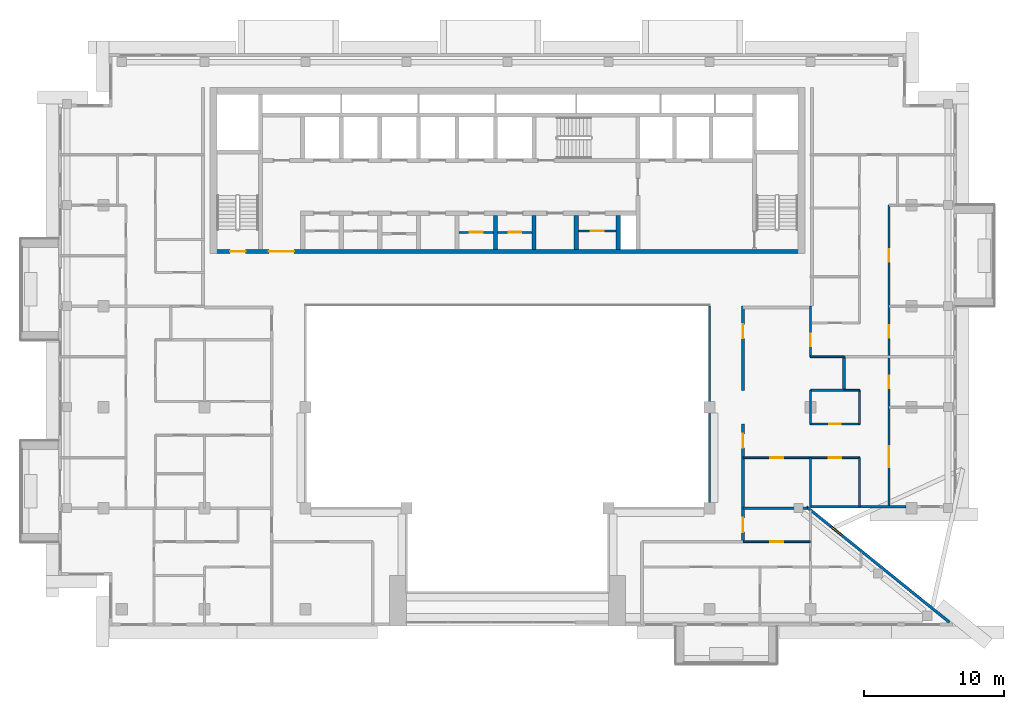
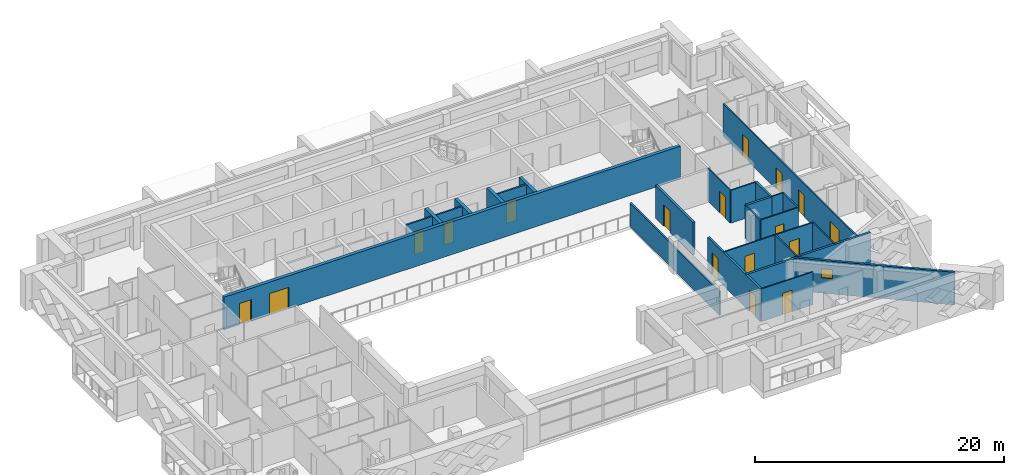
# One storey, part 9 of 19: 27 walls, 17 doors, 1 window, 18 openings.
"""IFC4 building model written with IfcOpenShell, lengths in metres."""

from ifc_helpers import new_model, si_unit, direction, frame, frame_2d, origin, place, context, subcontext, project, spatial, rectangle, extrude, material, layer, layer_set, type_object, element, fill, save


model = new_model("IFC4")

# Units and contexts
model_context = context("Model", 3, precision=1e-05, world=origin(), true_north=direction((0.0, 1.0)))
body_context = subcontext(model_context, "Body", "Model", "MODEL_VIEW")
ifc_project = project(units=[si_unit("LENGTHUNIT", "METRE"), si_unit("AREAUNIT", "SQUARE_METRE"), si_unit("VOLUMEUNIT", "CUBIC_METRE"), si_unit("PLANEANGLEUNIT", "RADIAN"), si_unit("MASSUNIT", "GRAM", prefix="KILO")], contexts=[model_context])

# Site, building, storey
site_placement = place(None, origin())
site = spatial("IfcSite", under=ifc_project, at=site_placement, CompositionType="ELEMENT")
building_placement = place(site_placement, origin())
building = spatial("IfcBuilding", under=site, at=building_placement, Name="Saffron Iwan Residences", CompositionType="ELEMENT")
storey_placement = place(building_placement, frame((0.0, 0.0, 250.0)))
storey = spatial("IfcBuildingStorey", under=building, at=storey_placement, Name="L67", CompositionType="ELEMENT", Elevation=250.0)

# Wall
ifc_material_1 = material(Name="Fire-rated glazing", Category="glass")
ifc_layer_1 = layer(ifc_material_1, 0.14990234375)
ifc_layer_set_1 = layer_set([ifc_layer_1], Name="Fire-rated glazing")
wall_type_1 = type_object("IfcWallType", Name="Atrium glazed screen 150", PredefinedType="SOLIDWALL", material=ifc_layer_set_1)
wall_1_placement = place(storey_placement, frame((64.800048828125, 48.0, 0.0), z_axis=(0.0, 0.0, 1.0), x_axis=(0.0, 1.0, 0.0)))
element("IfcWall", 1, at=wall_1_placement, inside=storey, type_object=wall_type_1, Name="W-L67-SCREEN-v64.8-48", PredefinedType="SOLIDWALL", context=body_context, shape_type="SweptSolid", body=[
    extrude(rectangle(XDim=14.39990234375, YDim=0.14990234375, at=frame_2d((7.199951171875, 0.0))), origin(), (0.0, 0.0, 1.0), 2.320068359375),
])

# Wall, opening, door
ifc_material_2 = material(Name="Fire-rated plasterboard partition")
ifc_layer_2 = layer(ifc_material_2, 0.14990234375)
ifc_layer_set_2 = layer_set([ifc_layer_2], Name="Fire-rated plasterboard partition")
wall_type_2 = type_object("IfcWallType", Name="Core partition 150", PredefinedType="PARTITIONING", material=ifc_layer_set_2)
wall_2_placement = place(storey_placement, frame((46.949951171875, 67.66259765625, 0.0), z_axis=(0.0, 0.0, 1.0), x_axis=(1.0, 0.0, 0.0)))
wall_2 = element("IfcWall", 2, at=wall_2_placement, inside=storey, type_object=wall_type_2, Name="Core partition P04", PredefinedType="PARTITIONING", context=body_context, shape_type="SweptSolid", body=[
    extrude(rectangle(XDim=2.449951171875, YDim=0.14990234375, at=frame_2d((1.22509765625, 0.0))), origin(), (0.0, 0.0, 1.0), 3.219970703125),
])
opening_1_placement = place(wall_2_placement, frame((0.77490234375, 0.0, 0.0)))
opening_1 = element("IfcOpeningElement", 3, at=opening_1_placement, cuts=wall_2, Name="Opening SB", PredefinedType="OPENING", context=body_context, shape_type="SweptSolid", body=[
    extrude(rectangle(XDim=0.89990234375, YDim=2.10009765625, at=frame_2d((0.449951171875, 1.050048828125))), frame((0.0, 0.0849609375, 0.0), z_axis=(0.0, -1.0, 0.0), x_axis=(1.0, 0.0, 0.0)), (0.0, 0.0, 1.0), 0.169921875),
])
ifc_material_3 = material(Name="Steel fire door", Category="steel")
door_type_1 = type_object("IfcDoorType", Name="Store door 900", OperationType="NOTDEFINED", PredefinedType="DOOR", material=ifc_material_3)
door_1_placement = place(opening_1_placement, origin())
door_1 = element("IfcDoor", 4, at=door_1_placement, inside=storey, type_object=door_type_1, Name="Door Spares store", OperationType="SINGLE_SWING_RIGHT", OverallHeight=2.10009765625, OverallWidth=0.89990234375, PredefinedType="DOOR", context=body_context, shape_type="SweptSolid", body=[
    extrude(rectangle(XDim=0.89990234375, YDim=2.10009765625, at=frame_2d((0.449951171875, 1.050048828125))), frame((0.0, 0.02490234375, 0.0), z_axis=(0.0, -1.0, 0.0), x_axis=(1.0, 0.0, 0.0)), (0.0, 0.0, 1.0), 0.050048828125),
])
fill(opening_1, door_1)

wall_3_placement = place(storey_placement, frame((49.699951171875, 67.66259765625, 0.0), z_axis=(0.0, 0.0, 1.0), x_axis=(1.0, 0.0, 0.0)))
wall_3 = element("IfcWall", 5, at=wall_3_placement, inside=storey, type_object=wall_type_2, Name="Core partition P05", PredefinedType="PARTITIONING", context=body_context, shape_type="SweptSolid", body=[
    extrude(rectangle(XDim=2.449951171875, YDim=0.14990234375, at=frame_2d((1.22509765625, 0.0))), origin(), (0.0, 0.0, 1.0), 3.219970703125),
])
opening_2_placement = place(wall_3_placement, frame((0.77490234375, 0.0, 0.0)))
opening_2 = element("IfcOpeningElement", 6, at=opening_2_placement, cuts=wall_3, Name="Opening SB", PredefinedType="OPENING", context=body_context, shape_type="SweptSolid", body=[
    extrude(rectangle(XDim=0.89990234375, YDim=2.10009765625, at=frame_2d((0.449951171875, 1.050048828125))), frame((0.0, 0.0849609375, 0.0), z_axis=(0.0, -1.0, 0.0), x_axis=(1.0, 0.0, 0.0)), (0.0, 0.0, 1.0), 0.169921875),
])
door_2_placement = place(opening_2_placement, origin())
door_2 = element("IfcDoor", 7, at=door_2_placement, inside=storey, type_object=door_type_1, Name="Door Battery room", OperationType="SINGLE_SWING_LEFT", OverallHeight=2.10009765625, OverallWidth=0.89990234375, PredefinedType="DOOR", context=body_context, shape_type="SweptSolid", body=[
    extrude(rectangle(XDim=0.89990234375, YDim=2.10009765625, at=frame_2d((0.449951171875, 1.050048828125))), frame((0.0, 0.02490234375, 0.0), z_axis=(0.0, -1.0, 0.0), x_axis=(1.0, 0.0, 0.0)), (0.0, 0.0, 1.0), 0.050048828125),
])
fill(opening_2, door_2)

wall_4_placement = place(storey_placement, frame((55.449951171875, 67.759521484375, 0.0), z_axis=(0.0, 0.0, 1.0), x_axis=(1.0, 0.0, 0.0)))
wall_4 = element("IfcWall", 8, at=wall_4_placement, inside=storey, type_object=wall_type_2, Name="Core partition P06", PredefinedType="PARTITIONING", context=body_context, shape_type="SweptSolid", body=[
    extrude(rectangle(XDim=2.699951171875, YDim=0.14990234375, at=frame_2d((1.35009765625, 0.0))), origin(), (0.0, 0.0, 1.0), 3.219970703125),
])
opening_3_placement = place(wall_4_placement, frame((0.89990234375, 0.0, 0.0)))
opening_3 = element("IfcOpeningElement", 9, at=opening_3_placement, cuts=wall_4, Name="Opening SB", PredefinedType="OPENING", context=body_context, shape_type="SweptSolid", body=[
    extrude(rectangle(XDim=0.89990234375, YDim=2.10009765625, at=frame_2d((0.449951171875, 1.050048828125))), frame((0.0, 0.0849609375, 0.0), z_axis=(0.0, -1.0, 0.0), x_axis=(1.0, 0.0, 0.0)), (0.0, 0.0, 1.0), 0.169921875),
])
door_3_placement = place(opening_3_placement, origin())
door_3 = element("IfcDoor", 10, at=door_3_placement, inside=storey, type_object=door_type_1, Name="Door Equipment store", OperationType="SINGLE_SWING_LEFT", OverallHeight=2.10009765625, OverallWidth=0.89990234375, PredefinedType="DOOR", context=body_context, shape_type="SweptSolid", body=[
    extrude(rectangle(XDim=0.89990234375, YDim=2.10009765625, at=frame_2d((0.449951171875, 1.050048828125))), frame((0.0, 0.02490234375, 0.0), z_axis=(0.0, -1.0, 0.0), x_axis=(1.0, 0.0, 0.0)), (0.0, 0.0, 1.0), 0.050048828125),
])
fill(opening_3, door_3)

# Wall, opening, window
ifc_material_4 = material(Name="Concrete C40/50", Category="concrete")
ifc_layer_3 = layer(ifc_material_4, 0.199951171875)
ifc_layer_set_3 = layer_set([ifc_layer_3], Name="Concrete C40/50")
wall_type_3 = type_object("IfcWallType", Name="EXTERNAL WALL 200", PredefinedType="SOLIDWALL", material=ifc_layer_set_3)
wall_5_placement = place(storey_placement, frame((81.906982421875, 39.86962890625, 0.0), z_axis=(0.0, 0.0, 1.0), x_axis=(-0.777936274417, 0.62834318087, 0.0)))
wall_5 = element("IfcWall", 11, at=wall_5_placement, inside=storey, type_object=wall_type_3, Name="External wall L67 F0.0", PredefinedType="SOLIDWALL", context=body_context, shape_type="SweptSolid", body=[
    extrude(rectangle(XDim=13.0986328125, YDim=0.199951171875, at=frame_2d((6.54931640625, 0.0))), origin(), (0.0, 0.0, 1.0), 3.219970703125),
])
opening_4_placement = place(wall_5_placement, frame((9.9384765625, 0.0, 1.5)))
opening_4 = element("IfcOpeningElement", 12, at=opening_4_placement, cuts=wall_5, Name="Opening W6", PredefinedType="OPENING", context=body_context, shape_type="SweptSolid", body=[
    extrude(rectangle(XDim=0.89990234375, YDim=0.89990234375, at=frame_2d((0.449951171875, 0.449951171875))), frame((0.0, 0.10986328125, 0.0), z_axis=(0.0, -1.0, 0.0), x_axis=(1.0, 0.0, 0.0)), (0.0, 0.0, 1.0), 0.219970703125),
])
ifc_material_5 = material(Name="Clear glass, laminated double glazed", Category="glass")
window_type = type_object("IfcWindowType", Name="WINDOW 900 x 900 BATH", PartitioningType="SINGLE_PANEL", PredefinedType="WINDOW", material=ifc_material_5)
window_placement = place(opening_4_placement, origin())
window = element("IfcWindow", 13, at=window_placement, inside=storey, type_object=window_type, Name="Window L67 F0.0", OverallHeight=0.89990234375, OverallWidth=0.89990234375, PartitioningType="SINGLE_PANEL", PredefinedType="WINDOW", context=body_context, shape_type="SweptSolid", body=[
    extrude(rectangle(XDim=0.89990234375, YDim=0.89990234375, at=frame_2d((0.449951171875, 0.449951171875))), frame((0.0, 0.030029296875, 0.0), z_axis=(0.0, -1.0, 0.0), x_axis=(1.0, 0.0, 0.0)), (0.0, 0.0, 1.0), 0.06005859375),
])
fill(opening_4, window)

# Walls
wall_6_placement = place(storey_placement, frame((71.987060546875, 48.10009765625, 0.0), z_axis=(0.0, 0.0, 1.0), x_axis=(1.0, 0.0, 0.0)))
element("IfcWall", 14, at=wall_6_placement, inside=storey, type_object=wall_type_3, Name="External wall L67 F1.0", PredefinedType="SOLIDWALL", context=body_context, shape_type="SweptSolid", body=[
    extrude(rectangle(XDim=6.81298828125, YDim=0.199951171875, at=frame_2d((3.406494140625, 0.0))), origin(), (0.0, 0.0, 1.0), 3.219970703125),
])
ifc_material_6 = material(Name="Fire-rated gypsum board wall")
ifc_layer_4 = layer(ifc_material_6, 0.199951171875)
ifc_layer_set_4 = layer_set([ifc_layer_4], Name="Fire-rated gypsum board wall")
wall_type_4 = type_object("IfcWallType", Name="Flat demising wall 200", PredefinedType="SOLIDWALL", material=ifc_layer_set_4)
wall_7_placement = place(storey_placement, frame((67.199951171875, 48.0, 0.0), z_axis=(0.0, 0.0, 1.0), x_axis=(1.0, 0.0, 0.0)))
element("IfcWall", 15, at=wall_7_placement, inside=storey, type_object=wall_type_4, Name="W-L67-DEMISE-h48-67.2", PredefinedType="SOLIDWALL", context=body_context, shape_type="SweptSolid", body=[
    extrude(rectangle(XDim=4.60107421875, YDim=0.199951171875, at=frame_2d((2.300537109375, 0.0))), origin(), (0.0, 0.0, 1.0), 3.219970703125),
])
wall_8_placement = place(storey_placement, frame((72.0, 56.39990234375, 0.0), z_axis=(0.0, 0.0, 1.0), x_axis=(1.0, 0.0, 0.0)))
element("IfcWall", 16, at=wall_8_placement, inside=storey, type_object=wall_type_4, Name="W-L67-DEMISE-h56.4-72", PredefinedType="SOLIDWALL", context=body_context, shape_type="SweptSolid", body=[
    extrude(rectangle(XDim=2.39990234375, YDim=0.199951171875, at=frame_2d((1.199951171875, 0.0))), origin(), (0.0, 0.0, 1.0), 3.219970703125),
])
wall_9_placement = place(storey_placement, frame((74.39990234375, 56.39990234375, 0.0), z_axis=(0.0, 0.0, 1.0), x_axis=(0.0, 1.0, 0.0)))
element("IfcWall", 17, at=wall_9_placement, inside=storey, type_object=wall_type_4, Name="W-L67-DEMISE-v74.4-56.4", PredefinedType="SOLIDWALL", context=body_context, shape_type="SweptSolid", body=[
    extrude(rectangle(XDim=2.400146484375, YDim=0.199951171875, at=frame_2d((1.2001953125, 0.0))), origin(), (0.0, 0.0, 1.0), 3.219970703125),
])

# Wall, opening, door
ifc_material_7 = material(Name="Gypsum board partition")
ifc_layer_5 = layer(ifc_material_7, 0.1201171875)
ifc_layer_set_5 = layer_set([ifc_layer_5], Name="Gypsum board partition")
wall_type_5 = type_object("IfcWallType", Name="Flat partition 120", PredefinedType="PARTITIONING", material=ifc_layer_set_5)
wall_10_placement = place(storey_placement, frame((67.199951171875, 45.60009765625, 0.0), z_axis=(0.0, 0.0, 1.0), x_axis=(1.0, 0.0, 0.0)))
wall_10 = element("IfcWall", 18, at=wall_10_placement, inside=storey, type_object=wall_type_5, Name="W-L67-PART-h45.6-67.2", PredefinedType="PARTITIONING", context=body_context, shape_type="SweptSolid", body=[
    extrude(rectangle(XDim=4.800048828125, YDim=0.1201171875, at=frame_2d((2.39990234375, 0.0))), origin(), (0.0, 0.0, 1.0), 3.219970703125),
])
opening_5_placement = place(wall_10_placement, frame((1.949951171875, 0.0, 0.0)))
opening_5 = element("IfcOpeningElement", 19, at=opening_5_placement, cuts=wall_10, Name="Opening FD2", PredefinedType="OPENING", context=body_context, shape_type="SweptSolid", body=[
    extrude(rectangle(XDim=0.89990234375, YDim=2.10009765625, at=frame_2d((0.449951171875, 1.050048828125))), frame((0.0, 0.070068359375, 0.0), z_axis=(0.0, -1.0, 0.0), x_axis=(1.0, 0.0, 0.0)), (0.0, 0.0, 1.0), 0.14013671875),
])
ifc_material_8 = material(Name="Timber door", Category="wood")
door_type_2 = type_object("IfcDoorType", Name="Flat door 900", OperationType="NOTDEFINED", PredefinedType="DOOR", material=ifc_material_8)
door_4_placement = place(opening_5_placement, origin())
door_4 = element("IfcDoor", 20, at=door_4_placement, inside=storey, type_object=door_type_2, Name="Door L67-041", OperationType="SINGLE_SWING_LEFT", OverallHeight=2.10009765625, OverallWidth=0.89990234375, PredefinedType="DOOR", context=body_context, shape_type="SweptSolid", body=[
    extrude(rectangle(XDim=0.89990234375, YDim=2.10009765625, at=frame_2d((0.449951171875, 1.050048828125))), frame((0.0, 0.02490234375, 0.0), z_axis=(0.0, -1.0, 0.0), x_axis=(1.0, 0.0, 0.0)), (0.0, 0.0, 1.0), 0.050048828125),
])
fill(opening_5, door_4)

# Wall, openings, doors
wall_11_placement = place(storey_placement, frame((67.199951171875, 51.60009765625, 0.0), z_axis=(0.0, 0.0, 1.0), x_axis=(1.0, 0.0, 0.0)))
wall_11 = element("IfcWall", 21, at=wall_11_placement, inside=storey, type_object=wall_type_5, Name="W-L67-PART-h51.6-67.2", PredefinedType="PARTITIONING", context=body_context, shape_type="SweptSolid", body=[
    extrude(rectangle(XDim=8.300048828125, YDim=0.1201171875, at=frame_2d((4.14990234375, 0.0))), origin(), (0.0, 0.0, 1.0), 3.219970703125),
])
opening_6_placement = place(wall_11_placement, frame((6.10009765625, 0.0, 0.0)))
opening_6 = element("IfcOpeningElement", 22, at=opening_6_placement, cuts=wall_11, Name="Opening FD2", PredefinedType="OPENING", context=body_context, shape_type="SweptSolid", body=[
    extrude(rectangle(XDim=0.89990234375, YDim=2.10009765625, at=frame_2d((0.449951171875, 1.050048828125))), frame((0.0, 0.070068359375, 0.0), z_axis=(0.0, -1.0, 0.0), x_axis=(1.0, 0.0, 0.0)), (0.0, 0.0, 1.0), 0.14013671875),
])
opening_7_placement = place(wall_11_placement, frame((1.949951171875, 0.0, 0.0)))
opening_7 = element("IfcOpeningElement", 23, at=opening_7_placement, cuts=wall_11, Name="Opening FD2", PredefinedType="OPENING", context=body_context, shape_type="SweptSolid", body=[
    extrude(rectangle(XDim=0.89990234375, YDim=2.10009765625, at=frame_2d((0.449951171875, 1.050048828125))), frame((0.0, 0.070068359375, 0.0), z_axis=(0.0, -1.0, 0.0), x_axis=(1.0, 0.0, 0.0)), (0.0, 0.0, 1.0), 0.14013671875),
])
door_5_placement = place(opening_6_placement, origin())
door_5 = element("IfcDoor", 24, at=door_5_placement, inside=storey, type_object=door_type_2, Name="Door L67-020", OperationType="SINGLE_SWING_LEFT", OverallHeight=2.10009765625, OverallWidth=0.89990234375, PredefinedType="DOOR", context=body_context, shape_type="SweptSolid", body=[
    extrude(rectangle(XDim=0.89990234375, YDim=2.10009765625, at=frame_2d((0.449951171875, 1.050048828125))), frame((0.0, 0.02490234375, 0.0), z_axis=(0.0, -1.0, 0.0), x_axis=(1.0, 0.0, 0.0)), (0.0, 0.0, 1.0), 0.050048828125),
])
fill(opening_6, door_5)
door_6_placement = place(opening_7_placement, origin())
door_6 = element("IfcDoor", 25, at=door_6_placement, inside=storey, type_object=door_type_2, Name="Door L67-022", OperationType="SINGLE_SWING_LEFT", OverallHeight=2.10009765625, OverallWidth=0.89990234375, PredefinedType="DOOR", context=body_context, shape_type="SweptSolid", body=[
    extrude(rectangle(XDim=0.89990234375, YDim=2.10009765625, at=frame_2d((0.449951171875, 1.050048828125))), frame((0.0, 0.02490234375, 0.0), z_axis=(0.0, -1.0, 0.0), x_axis=(1.0, 0.0, 0.0)), (0.0, 0.0, 1.0), 0.050048828125),
])
fill(opening_7, door_6)

# Wall, opening, door
wall_12_placement = place(storey_placement, frame((72.0, 54.0, 0.0), z_axis=(0.0, 0.0, 1.0), x_axis=(1.0, 0.0, 0.0)))
wall_12 = element("IfcWall", 26, at=wall_12_placement, inside=storey, type_object=wall_type_5, Name="W-L67-PART-h54-72", PredefinedType="PARTITIONING", context=body_context, shape_type="SweptSolid", body=[
    extrude(rectangle(XDim=3.5, YDim=0.1201171875, at=frame_2d((1.75, 0.0))), origin(), (0.0, 0.0, 1.0), 3.219970703125),
])
opening_8_placement = place(wall_12_placement, frame((1.35009765625, 0.0, 0.0)))
opening_8 = element("IfcOpeningElement", 27, at=opening_8_placement, cuts=wall_12, Name="Opening FD3", PredefinedType="OPENING", context=body_context, shape_type="SweptSolid", body=[
    extrude(rectangle(XDim=0.800048828125, YDim=2.10009765625, at=frame_2d((0.39990234375, 1.050048828125))), frame((0.0, 0.070068359375, 0.0), z_axis=(0.0, -1.0, 0.0), x_axis=(1.0, 0.0, 0.0)), (0.0, 0.0, 1.0), 0.14013671875),
])
door_type_3 = type_object("IfcDoorType", Name="Bathroom door 800", OperationType="NOTDEFINED", PredefinedType="DOOR", material=ifc_material_8)
door_7_placement = place(opening_8_placement, origin())
door_7 = element("IfcDoor", 28, at=door_7_placement, inside=storey, type_object=door_type_3, Name="Door L67-021", OperationType="SINGLE_SWING_RIGHT", OverallHeight=2.10009765625, OverallWidth=0.800048828125, PredefinedType="DOOR", context=body_context, shape_type="SweptSolid", body=[
    extrude(rectangle(XDim=0.800048828125, YDim=2.10009765625, at=frame_2d((0.39990234375, 1.050048828125))), frame((0.0, 0.02490234375, 0.0), z_axis=(0.0, -1.0, 0.0), x_axis=(1.0, 0.0, 0.0)), (0.0, 0.0, 1.0), 0.050048828125),
])
fill(opening_8, door_7)

# Walls
wall_13_placement = place(storey_placement, frame((74.39990234375, 56.39990234375, 0.0), z_axis=(0.0, 0.0, 1.0), x_axis=(1.0, 0.0, 0.0)))
element("IfcWall", 29, at=wall_13_placement, inside=storey, type_object=wall_type_5, Name="W-L67-PART-h56.4-74.4", PredefinedType="PARTITIONING", context=body_context, shape_type="SweptSolid", body=[
    extrude(rectangle(XDim=1.10009765625, YDim=0.1201171875, at=frame_2d((0.550048828125, 0.0))), origin(), (0.0, 0.0, 1.0), 3.219970703125),
])
wall_14_placement = place(storey_placement, frame((72.0, 58.800048828125, 0.0), z_axis=(0.0, 0.0, 1.0), x_axis=(1.0, 0.0, 0.0)))
element("IfcWall", 30, at=wall_14_placement, inside=storey, type_object=wall_type_5, Name="W-L67-PART-h58.8-72", PredefinedType="PARTITIONING", context=body_context, shape_type="SweptSolid", body=[
    extrude(rectangle(XDim=2.39990234375, YDim=0.1201171875, at=frame_2d((1.199951171875, 0.0))), origin(), (0.0, 0.0, 1.0), 3.219970703125),
])
wall_15_placement = place(storey_placement, frame((72.0, 48.125, 0.0), z_axis=(0.0, 0.0, 1.0), x_axis=(0.0, 1.0, 0.0)))
element("IfcWall", 31, at=wall_15_placement, inside=storey, type_object=wall_type_5, Name="W-L67-PART-v72-48.125", PredefinedType="PARTITIONING", context=body_context, shape_type="SweptSolid", body=[
    extrude(rectangle(XDim=3.47509765625, YDim=0.1201171875, at=frame_2d((1.737548828125, 0.0))), origin(), (0.0, 0.0, 1.0), 3.219970703125),
])
wall_16_placement = place(storey_placement, frame((72.0, 54.0, 0.0), z_axis=(0.0, 0.0, 1.0), x_axis=(0.0, 1.0, 0.0)))
element("IfcWall", 32, at=wall_16_placement, inside=storey, type_object=wall_type_5, Name="W-L67-PART-v72-54", PredefinedType="PARTITIONING", context=body_context, shape_type="SweptSolid", body=[
    extrude(rectangle(XDim=2.39990234375, YDim=0.1201171875, at=frame_2d((1.199951171875, 0.0))), origin(), (0.0, 0.0, 1.0), 3.219970703125),
])

# Wall, opening, door
wall_17_placement = place(storey_placement, frame((72.0, 58.800048828125, 0.0), z_axis=(0.0, 0.0, 1.0), x_axis=(0.0, 1.0, 0.0)))
wall_17 = element("IfcWall", 33, at=wall_17_placement, inside=storey, type_object=wall_type_5, Name="W-L67-PART-v72-58.8", PredefinedType="PARTITIONING", context=body_context, shape_type="SweptSolid", body=[
    extrude(rectangle(XDim=3.599853515625, YDim=0.1201171875, at=frame_2d((1.7998046875, 0.0))), origin(), (0.0, 0.0, 1.0), 3.219970703125),
])
opening_9_placement = place(wall_17_placement, frame((0.75, 0.0, 0.0)))
opening_9 = element("IfcOpeningElement", 34, at=opening_9_placement, cuts=wall_17, Name="Opening FD2", PredefinedType="OPENING", context=body_context, shape_type="SweptSolid", body=[
    extrude(rectangle(XDim=0.89990234375, YDim=2.10009765625, at=frame_2d((0.449951171875, 1.050048828125))), frame((0.0, 0.070068359375, 0.0), z_axis=(0.0, -1.0, 0.0), x_axis=(1.0, 0.0, 0.0)), (0.0, 0.0, 1.0), 0.14013671875),
])
door_8_placement = place(opening_9_placement, origin())
door_8 = element("IfcDoor", 35, at=door_8_placement, inside=storey, type_object=door_type_2, Name="Door L67-031", OperationType="SINGLE_SWING_LEFT", OverallHeight=2.10009765625, OverallWidth=0.89990234375, PredefinedType="DOOR", context=body_context, shape_type="SweptSolid", body=[
    extrude(rectangle(XDim=0.89990234375, YDim=2.10009765625, at=frame_2d((0.449951171875, 1.050048828125))), frame((0.0, 0.02490234375, 0.0), z_axis=(0.0, -1.0, 0.0), x_axis=(1.0, 0.0, 0.0)), (0.0, 0.0, 1.0), 0.050048828125),
])
fill(opening_9, door_8)

# Walls
wall_18_placement = place(storey_placement, frame((75.5, 48.125, 0.0), z_axis=(0.0, 0.0, 1.0), x_axis=(0.0, 1.0, 0.0)))
element("IfcWall", 36, at=wall_18_placement, inside=storey, type_object=wall_type_5, Name="W-L67-PART-v75.5-48.125", PredefinedType="PARTITIONING", context=body_context, shape_type="SweptSolid", body=[
    extrude(rectangle(XDim=3.47509765625, YDim=0.1201171875, at=frame_2d((1.737548828125, 0.0))), origin(), (0.0, 0.0, 1.0), 3.219970703125),
])
wall_19_placement = place(storey_placement, frame((75.5, 54.0, 0.0), z_axis=(0.0, 0.0, 1.0), x_axis=(0.0, 1.0, 0.0)))
element("IfcWall", 37, at=wall_19_placement, inside=storey, type_object=wall_type_5, Name="W-L67-PART-v75.5-54", PredefinedType="PARTITIONING", context=body_context, shape_type="SweptSolid", body=[
    extrude(rectangle(XDim=2.39990234375, YDim=0.1201171875, at=frame_2d((1.199951171875, 0.0))), origin(), (0.0, 0.0, 1.0), 3.219970703125),
])

# Wall, openings, doors
wall_20_placement = place(storey_placement, frame((77.60009765625, 48.125, 0.0), z_axis=(0.0, 0.0, 1.0), x_axis=(0.0, 1.0, 0.0)))
wall_20 = element("IfcWall", 38, at=wall_20_placement, inside=storey, type_object=wall_type_5, Name="W-L67-PART-v77.6-48.125", PredefinedType="PARTITIONING", context=body_context, shape_type="SweptSolid", body=[
    extrude(rectangle(XDim=21.47509765625, YDim=0.1201171875, at=frame_2d((10.737548828125, 0.0))), origin(), (0.0, 0.0, 1.0), 3.219970703125),
])
opening_10_placement = place(wall_20_placement, frame((2.78759765625, 0.0, 0.0)))
opening_10 = element("IfcOpeningElement", 39, at=opening_10_placement, cuts=wall_20, Name="Opening FD4", PredefinedType="OPENING", context=body_context, shape_type="SweptSolid", body=[
    extrude(rectangle(XDim=1.5, YDim=2.10009765625, at=frame_2d((0.75, 1.050048828125))), frame((0.0, 0.070068359375, 0.0), z_axis=(0.0, -1.0, 0.0), x_axis=(1.0, 0.0, 0.0)), (0.0, 0.0, 1.0), 0.14013671875),
])
opening_11_placement = place(wall_20_placement, frame((8.425048828125, 0.0, 0.0)))
opening_11 = element("IfcOpeningElement", 40, at=opening_11_placement, cuts=wall_20, Name="Opening FD2", PredefinedType="OPENING", context=body_context, shape_type="SweptSolid", body=[
    extrude(rectangle(XDim=0.89990234375, YDim=2.10009765625, at=frame_2d((0.449951171875, 1.050048828125))), frame((0.0, 0.070068359375, 0.0), z_axis=(0.0, -1.0, 0.0), x_axis=(1.0, 0.0, 0.0)), (0.0, 0.0, 1.0), 0.14013671875),
])
opening_12_placement = place(wall_20_placement, frame((12.02490234375, 0.0, 0.0)))
opening_12 = element("IfcOpeningElement", 41, at=opening_12_placement, cuts=wall_20, Name="Opening FD2", PredefinedType="OPENING", context=body_context, shape_type="SweptSolid", body=[
    extrude(rectangle(XDim=0.89990234375, YDim=2.10009765625, at=frame_2d((0.449951171875, 1.050048828125))), frame((0.0, 0.070068359375, 0.0), z_axis=(0.0, -1.0, 0.0), x_axis=(1.0, 0.0, 0.0)), (0.0, 0.0, 1.0), 0.14013671875),
])
opening_13_placement = place(wall_20_placement, frame((17.425048828125, 0.0, 0.0)))
opening_13 = element("IfcOpeningElement", 42, at=opening_13_placement, cuts=wall_20, Name="Opening FD2", PredefinedType="OPENING", context=body_context, shape_type="SweptSolid", body=[
    extrude(rectangle(XDim=0.89990234375, YDim=2.10009765625, at=frame_2d((0.449951171875, 1.050048828125))), frame((0.0, 0.070068359375, 0.0), z_axis=(0.0, -1.0, 0.0), x_axis=(1.0, 0.0, 0.0)), (0.0, 0.0, 1.0), 0.14013671875),
])
door_type_4 = type_object("IfcDoorType", Name="Double door 1500", OperationType="NOTDEFINED", PredefinedType="DOOR", material=ifc_material_8)
door_9_placement = place(opening_10_placement, origin())
door_9 = element("IfcDoor", 43, at=door_9_placement, inside=storey, type_object=door_type_4, Name="Door L67-018", OperationType="SINGLE_SWING_RIGHT", OverallHeight=2.10009765625, OverallWidth=1.5, PredefinedType="DOOR", context=body_context, shape_type="SweptSolid", body=[
    extrude(rectangle(XDim=1.5, YDim=2.10009765625, at=frame_2d((0.75, 1.050048828125))), frame((0.0, 0.02490234375, 0.0), z_axis=(0.0, -1.0, 0.0), x_axis=(1.0, 0.0, 0.0)), (0.0, 0.0, 1.0), 0.050048828125),
])
fill(opening_10, door_9)
door_10_placement = place(opening_11_placement, origin())
door_10 = element("IfcDoor", 44, at=door_10_placement, inside=storey, type_object=door_type_2, Name="Door L67-019", OperationType="SINGLE_SWING_LEFT", OverallHeight=2.10009765625, OverallWidth=0.89990234375, PredefinedType="DOOR", context=body_context, shape_type="SweptSolid", body=[
    extrude(rectangle(XDim=0.89990234375, YDim=2.10009765625, at=frame_2d((0.449951171875, 1.050048828125))), frame((0.0, 0.02490234375, 0.0), z_axis=(0.0, -1.0, 0.0), x_axis=(1.0, 0.0, 0.0)), (0.0, 0.0, 1.0), 0.050048828125),
])
fill(opening_11, door_10)
door_11_placement = place(opening_12_placement, origin())
door_11 = element("IfcDoor", 45, at=door_11_placement, inside=storey, type_object=door_type_2, Name="Door L67-033", OperationType="SINGLE_SWING_RIGHT", OverallHeight=2.10009765625, OverallWidth=0.89990234375, PredefinedType="DOOR", context=body_context, shape_type="SweptSolid", body=[
    extrude(rectangle(XDim=0.89990234375, YDim=2.10009765625, at=frame_2d((0.449951171875, 1.050048828125))), frame((0.0, 0.02490234375, 0.0), z_axis=(0.0, -1.0, 0.0), x_axis=(1.0, 0.0, 0.0)), (0.0, 0.0, 1.0), 0.050048828125),
])
fill(opening_12, door_11)
door_12_placement = place(opening_13_placement, origin())
door_12 = element("IfcDoor", 46, at=door_12_placement, inside=storey, type_object=door_type_2, Name="Door L67-034", OperationType="SINGLE_SWING_LEFT", OverallHeight=2.10009765625, OverallWidth=0.89990234375, PredefinedType="DOOR", context=body_context, shape_type="SweptSolid", body=[
    extrude(rectangle(XDim=0.89990234375, YDim=2.10009765625, at=frame_2d((0.449951171875, 1.050048828125))), frame((0.0, 0.02490234375, 0.0), z_axis=(0.0, -1.0, 0.0), x_axis=(1.0, 0.0, 0.0)), (0.0, 0.0, 1.0), 0.050048828125),
])
fill(opening_13, door_12)

ifc_layer_6 = layer(ifc_material_6, 0.199951171875)
ifc_layer_set_6 = layer_set([ifc_layer_6], Name="Fire-rated gypsum board wall")
wall_type_6 = type_object("IfcWallType", Name="Gallery wall 200", PredefinedType="SOLIDWALL", material=ifc_layer_set_6)
wall_21_placement = place(storey_placement, frame((67.199951171875, 45.60009765625, 0.0), z_axis=(0.0, 0.0, 1.0), x_axis=(0.0, 1.0, 0.0)))
wall_21 = element("IfcWall", 47, at=wall_21_placement, inside=storey, type_object=wall_type_6, Name="W-L67-CORR-v67.2-45.6", PredefinedType="SOLIDWALL", context=body_context, shape_type="SweptSolid", body=[
    extrude(rectangle(XDim=8.39990234375, YDim=0.199951171875, at=frame_2d((4.199951171875, 0.0))), origin(), (0.0, 0.0, 1.0), 3.219970703125),
])
opening_14_placement = place(wall_21_placement, frame((6.699951171875, 0.0, 0.0)))
opening_14 = element("IfcOpeningElement", 48, at=opening_14_placement, cuts=wall_21, Name="Opening FD1", PredefinedType="OPENING", context=body_context, shape_type="SweptSolid", body=[
    extrude(rectangle(XDim=1.0, YDim=2.10009765625, at=frame_2d((0.5, 1.050048828125))), frame((0.0, 0.10986328125, 0.0), z_axis=(0.0, -1.0, 0.0), x_axis=(1.0, 0.0, 0.0)), (0.0, 0.0, 1.0), 0.219970703125),
])
opening_15_placement = place(wall_21_placement, frame((0.699951171875, 0.0, 0.0)))
opening_15 = element("IfcOpeningElement", 49, at=opening_15_placement, cuts=wall_21, Name="Opening FD5", PredefinedType="OPENING", context=body_context, shape_type="SweptSolid", body=[
    extrude(rectangle(XDim=1.0, YDim=2.10009765625, at=frame_2d((0.5, 1.050048828125))), frame((0.0, 0.10986328125, 0.0), z_axis=(0.0, -1.0, 0.0), x_axis=(1.0, 0.0, 0.0)), (0.0, 0.0, 1.0), 0.219970703125),
])
ifc_material_9 = material(Name="Fire-rated timber door", Category="wood")
door_type_5 = type_object("IfcDoorType", Name="FD30S flat entrance door 1000", OperationType="NOTDEFINED", PredefinedType="DOOR", material=ifc_material_9)
door_13_placement = place(opening_14_placement, origin())
door_13 = element("IfcDoor", 50, at=door_13_placement, inside=storey, type_object=door_type_5, Name="Door L67-017", OperationType="SINGLE_SWING_LEFT", OverallHeight=2.10009765625, OverallWidth=1.0, PredefinedType="DOOR", context=body_context, shape_type="SweptSolid", body=[
    extrude(rectangle(XDim=1.0, YDim=2.10009765625, at=frame_2d((0.5, 1.050048828125))), frame((0.0, 0.02490234375, 0.0), z_axis=(0.0, -1.0, 0.0), x_axis=(1.0, 0.0, 0.0)), (0.0, 0.0, 1.0), 0.050048828125),
])
fill(opening_14, door_13)
door_type_6 = type_object("IfcDoorType", Name="Lobby door 1000", OperationType="NOTDEFINED", PredefinedType="DOOR", material=ifc_material_9)
door_14_placement = place(opening_15_placement, origin())
door_14 = element("IfcDoor", 51, at=door_14_placement, inside=storey, type_object=door_type_6, Name="Door L67-042", OperationType="SINGLE_SWING_RIGHT", OverallHeight=2.10009765625, OverallWidth=1.0, PredefinedType="DOOR", context=body_context, shape_type="SweptSolid", body=[
    extrude(rectangle(XDim=1.0, YDim=2.10009765625, at=frame_2d((0.5, 1.050048828125))), frame((0.0, 0.02490234375, 0.0), z_axis=(0.0, -1.0, 0.0), x_axis=(1.0, 0.0, 0.0)), (0.0, 0.0, 1.0), 0.050048828125),
])
fill(opening_15, door_14)

# Wall, opening, door
wall_22_placement = place(storey_placement, frame((67.199951171875, 56.39990234375, 0.0), z_axis=(0.0, 0.0, 1.0), x_axis=(0.0, 1.0, 0.0)))
wall_22 = element("IfcWall", 52, at=wall_22_placement, inside=storey, type_object=wall_type_6, Name="W-L67-CORR-v67.2-56.4", PredefinedType="SOLIDWALL", context=body_context, shape_type="SweptSolid", body=[
    extrude(rectangle(XDim=6.0, YDim=0.199951171875, at=frame_2d((3.0, 0.0))), origin(), (0.0, 0.0, 1.0), 3.219970703125),
])
opening_16_placement = place(wall_22_placement, frame((3.699951171875, 0.0, 0.0)))
opening_16 = element("IfcOpeningElement", 53, at=opening_16_placement, cuts=wall_22, Name="Opening FD5", PredefinedType="OPENING", context=body_context, shape_type="SweptSolid", body=[
    extrude(rectangle(XDim=1.0, YDim=2.10009765625, at=frame_2d((0.5, 1.050048828125))), frame((0.0, 0.10986328125, 0.0), z_axis=(0.0, -1.0, 0.0), x_axis=(1.0, 0.0, 0.0)), (0.0, 0.0, 1.0), 0.219970703125),
])
door_15_placement = place(opening_16_placement, origin())
door_15 = element("IfcDoor", 54, at=door_15_placement, inside=storey, type_object=door_type_6, Name="Door L67-032", OperationType="SINGLE_SWING_LEFT", OverallHeight=2.10009765625, OverallWidth=1.0, PredefinedType="DOOR", context=body_context, shape_type="SweptSolid", body=[
    extrude(rectangle(XDim=1.0, YDim=2.10009765625, at=frame_2d((0.5, 1.050048828125))), frame((0.0, 0.02490234375, 0.0), z_axis=(0.0, -1.0, 0.0), x_axis=(1.0, 0.0, 0.0)), (0.0, 0.0, 1.0), 0.050048828125),
])
fill(opening_16, door_15)

# Wall, openings, doors
ifc_layer_7 = layer(ifc_material_4, 0.300048828125)
ifc_layer_set_7 = layer_set([ifc_layer_7], Name="Concrete C40/50")
wall_type_7 = type_object("IfcWallType", Name="WALL CORE 300 C40/50 3220 HIGH", PredefinedType="SHEAR", material=ifc_layer_set_7)
wall_23_placement = place(storey_placement, frame((29.199951171875, 66.300048828125, 0.0), z_axis=(0.0, 0.0, 1.0), x_axis=(1.0, 0.0, 0.0)))
wall_23 = element("IfcWall", 55, at=wall_23_placement, inside=storey, type_object=wall_type_7, Name="Core wall", PredefinedType="SHEAR", context=body_context, shape_type="SweptSolid", body=[
    extrude(rectangle(XDim=42.400146484375, YDim=0.300048828125, at=frame_2d((21.2001953125, 0.0))), origin(), (0.0, 0.0, 1.0), 3.219970703125),
])
opening_17_placement = place(wall_23_placement, frame((1.425048828125, 0.0, 0.0)))
opening_17 = element("IfcOpeningElement", 56, at=opening_17_placement, cuts=wall_23, Name="Opening SD", PredefinedType="OPENING", context=body_context, shape_type="SweptSolid", body=[
    extrude(rectangle(XDim=1.10009765625, YDim=2.10009765625, at=frame_2d((0.550048828125, 1.050048828125))), frame((0.0, 0.16015625, 0.0), z_axis=(0.0, -1.0, 0.0), x_axis=(1.0, 0.0, 0.0)), (0.0, 0.0, 1.0), 0.320068359375),
])
opening_18_placement = place(wall_23_placement, frame((4.199951171875, 0.0, 0.0)))
opening_18 = element("IfcOpeningElement", 57, at=opening_18_placement, cuts=wall_23, Name="Opening DD", PredefinedType="OPENING", context=body_context, shape_type="SweptSolid", body=[
    extrude(rectangle(XDim=1.800048828125, YDim=2.10009765625, at=frame_2d((0.89990234375, 1.050048828125))), frame((0.0, 0.16015625, 0.0), z_axis=(0.0, -1.0, 0.0), x_axis=(1.0, 0.0, 0.0)), (0.0, 0.0, 1.0), 0.320068359375),
])
door_type_7 = type_object("IfcDoorType", Name="Lobby double door 1800", OperationType="DOUBLE_DOOR_SINGLE_SWING", PredefinedType="DOOR", material=ifc_material_3)
door_16_placement = place(opening_18_placement, origin())
door_16 = element("IfcDoor", 58, at=door_16_placement, inside=storey, type_object=door_type_7, Name="Lobby doors", OperationType="DOUBLE_DOOR_SINGLE_SWING", OverallHeight=2.10009765625, OverallWidth=1.800048828125, PredefinedType="DOOR", context=body_context, shape_type="SweptSolid", body=[
    extrude(rectangle(XDim=1.800048828125, YDim=2.10009765625, at=frame_2d((0.89990234375, 1.050048828125))), frame((0.0, 0.02490234375, 0.0), z_axis=(0.0, -1.0, 0.0), x_axis=(1.0, 0.0, 0.0)), (0.0, 0.0, 1.0), 0.050048828125),
])
fill(opening_18, door_16)
door_type_8 = type_object("IfcDoorType", Name="Stair door 1100", OperationType="NOTDEFINED", PredefinedType="DOOR", material=ifc_material_3)
door_17_placement = place(opening_17_placement, origin())
door_17 = element("IfcDoor", 59, at=door_17_placement, inside=storey, type_object=door_type_8, Name="Stair door ST-W", OperationType="SINGLE_SWING_LEFT", OverallHeight=2.10009765625, OverallWidth=1.10009765625, PredefinedType="DOOR", context=body_context, shape_type="SweptSolid", body=[
    extrude(rectangle(XDim=1.10009765625, YDim=2.10009765625, at=frame_2d((0.550048828125, 1.050048828125))), frame((0.0, 0.02490234375, 0.0), z_axis=(0.0, -1.0, 0.0), x_axis=(1.0, 0.0, 0.0)), (0.0, 0.0, 1.0), 0.050048828125),
])
fill(opening_17, door_17)

# Walls
for number, where, z_axis, x_axis, name in (
    (60, (49.550048828125, 66.449951171875, 0.0), (0.0, 0.0, 1.0), (0.0, 1.0, 0.0), "Core wall"),
    (61, (52.300048828125, 66.449951171875, 0.0), (0.0, 0.0, 1.0), (0.0, 1.0, 0.0), "Core wall"),
    (62, (55.300048828125, 66.449951171875, 0.0), (0.0, 0.0, 1.0), (0.0, 1.0, 0.0), "Core wall"),
    (63, (58.300048828125, 66.449951171875, 0.0), (0.0, 0.0, 1.0), (0.0, 1.0, 0.0), "Core wall"),
):
    element("IfcWall", number, at=place(storey_placement, frame(where, z_axis=z_axis, x_axis=x_axis)), inside=storey, type_object=wall_type_7, Name=name, PredefinedType="SHEAR", context=body_context, shape_type="SweptSolid", body=[
        extrude(rectangle(XDim=2.425048828125, YDim=0.300048828125, at=frame_2d((1.21240234375, 0.0))), origin(), (0.0, 0.0, 1.0), 3.219970703125),
    ])

save(model, "model.ifc")
